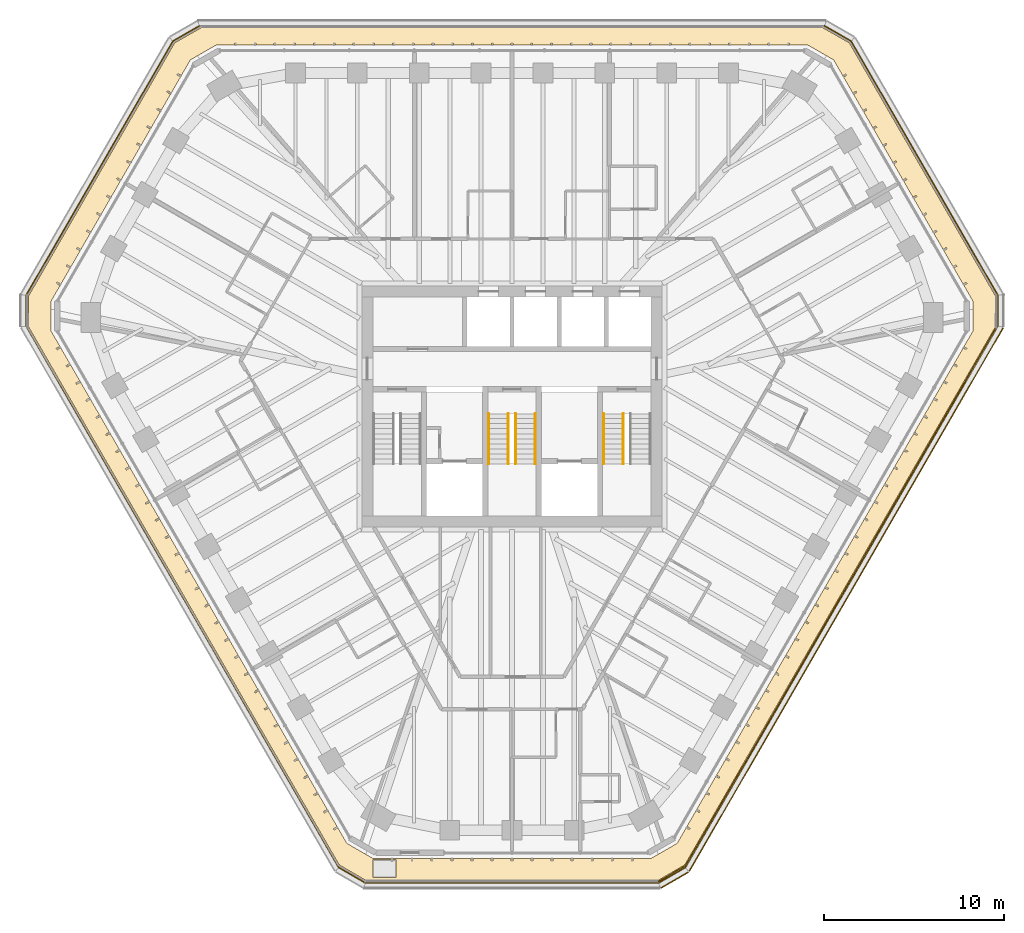
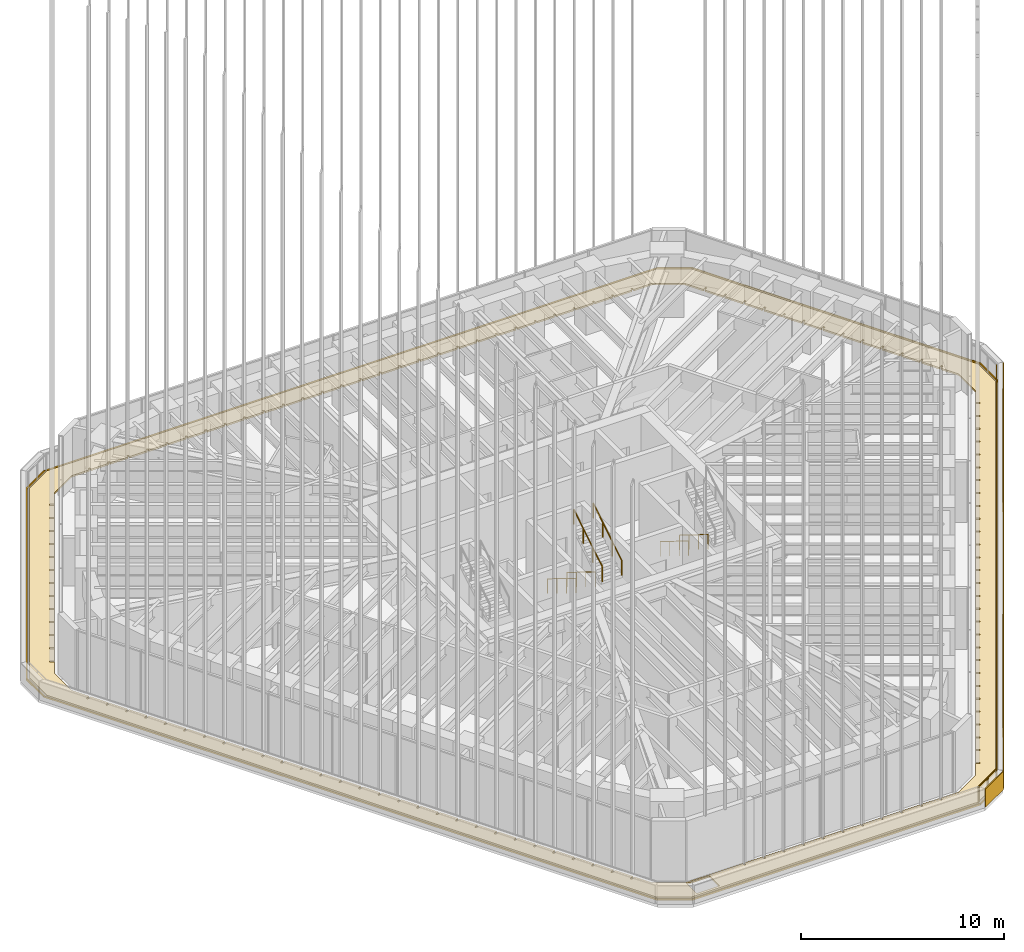
# One storey, part 126 of 127: 8 railings, 4 coverings.
"""IFC4 building model written with IfcOpenShell, lengths in metres."""

from ifc_helpers import new_model, si_unit, direction, frame, frame_2d, origin, origin_2d, place, context, subcontext, project, spatial, polyline, rectangle, circle, outline, extrude, material, layer, layer_set, type_object, element, save


model = new_model("IFC4")

# Units and contexts
model_context = context("Model", 3, precision=1e-05, world=origin(), true_north=direction((0.0, 1.0)))
body_context = subcontext(model_context, "Body", "Model", "MODEL_VIEW")
ifc_project = project(units=[si_unit("LENGTHUNIT", "METRE"), si_unit("AREAUNIT", "SQUARE_METRE"), si_unit("VOLUMEUNIT", "CUBIC_METRE"), si_unit("PLANEANGLEUNIT", "RADIAN"), si_unit("MASSUNIT", "GRAM", prefix="KILO")], contexts=[model_context])

# Site, building, storey
site_placement = place(None, origin())
site = spatial("IfcSite", under=ifc_project, at=site_placement, CompositionType="ELEMENT")
building_placement = place(site_placement, origin())
building = spatial("IfcBuilding", under=site, at=building_placement, Name="Sandreach Pilgrim Tower", CompositionType="ELEMENT")
storey_placement = place(building_placement, frame((0.0, 0.0, 257.0)))
storey = spatial("IfcBuildingStorey", under=building, at=storey_placement, Name="L64", CompositionType="ELEMENT", Elevation=257.0)

# Railings
ifc_material_1 = material(Name="Galvanised steel guardrail", Category="steel")
railing_type_1 = type_object("IfcRailingType", Name="Setback roof guard", PredefinedType="GUARDRAIL", material=ifc_material_1)
railing_1_placement = place(storey_placement, frame((8.15283203125, -26.44287109375, 0.0)))
element("IfcRailing", 1, at=railing_1_placement, inside=storey, type_object=railing_type_1, Name="Setback maintenance roof guard L64 7", PredefinedType="GUARDRAIL", context=body_context, shape_type="SweptSolid", body=[
    extrude(circle(Radius=0.02392578125, at=origin_2d()), frame((0.0, 0.0, 1.076171875), z_axis=(0.864640010441, 0.50239193101, 0.0), x_axis=(-0.50239193101, 0.864640010441, 0.0)), (0.0, 0.0, 1.0), 1.74560546875),
    extrude(circle(Radius=0.02099609375, at=origin_2d()), origin(), (0.0, 0.0, 1.0), 1.052001953125),
    extrude(circle(Radius=0.02099609375, at=origin_2d()), frame((0.754638671875, 0.4384765625, 0.0)), (0.0, 0.0, 1.0), 1.052001953125),
    extrude(circle(Radius=0.02099609375, at=origin_2d()), frame((1.50927734375, 0.876953125, 0.0)), (0.0, 0.0, 1.0), 1.052001953125),
])
railing_2_placement = place(storey_placement, frame((9.662109375, -25.56591796875, 0.0)))
element("IfcRailing", 2, at=railing_2_placement, inside=storey, type_object=railing_type_1, Name="Setback maintenance roof guard L64 8", PredefinedType="GUARDRAIL", context=body_context, shape_type="SweptSolid", body=[
    extrude(circle(Radius=0.02392578125, at=origin_2d()), frame((0.0, 0.0, 1.076171875), z_axis=(0.499995121033, 0.866028220639, 0.0), x_axis=(-0.866028220639, 0.499995121033, 0.0)), (0.0, 0.0, 1.0), 34.619384765625),
    extrude(circle(Radius=0.02099609375, at=origin_2d()), origin(), (0.0, 0.0, 1.0), 1.052001953125),
    extrude(circle(Radius=0.02099609375, at=origin_2d()), frame((0.596923828125, 1.033935546875, 0.0)), (0.0, 0.0, 1.0), 1.052001953125),
    extrude(circle(Radius=0.02099609375, at=origin_2d()), frame((1.19384765625, 2.067626953125, 0.0)), (0.0, 0.0, 1.0), 1.052001953125),
    extrude(circle(Radius=0.02099609375, at=origin_2d()), frame((1.79052734375, 3.1015625, 0.0)), (0.0, 0.0, 1.0), 1.052001953125),
    extrude(circle(Radius=0.02099609375, at=origin_2d()), frame((2.387451171875, 4.13525390625, 0.0)), (0.0, 0.0, 1.0), 1.052001953125),
    extrude(circle(Radius=0.02099609375, at=origin_2d()), frame((2.984375, 5.169189453125, 0.0)), (0.0, 0.0, 1.0), 1.052001953125),
    extrude(circle(Radius=0.02099609375, at=origin_2d()), frame((3.581298828125, 6.203125, 0.0)), (0.0, 0.0, 1.0), 1.052001953125),
    extrude(circle(Radius=0.02099609375, at=origin_2d()), frame((4.17822265625, 7.23681640625, 0.0)), (0.0, 0.0, 1.0), 1.052001953125),
    extrude(circle(Radius=0.02099609375, at=origin_2d()), frame((4.775146484375, 8.270751953125, 0.0)), (0.0, 0.0, 1.0), 1.052001953125),
    extrude(circle(Radius=0.02099609375, at=origin_2d()), frame((5.371826171875, 9.3046875, 0.0)), (0.0, 0.0, 1.0), 1.052001953125),
    extrude(circle(Radius=0.02099609375, at=origin_2d()), frame((5.96875, 10.33837890625, 0.0)), (0.0, 0.0, 1.0), 1.052001953125),
    extrude(circle(Radius=0.02099609375, at=origin_2d()), frame((6.565673828125, 11.372314453125, 0.0)), (0.0, 0.0, 1.0), 1.052001953125),
    extrude(circle(Radius=0.02099609375, at=origin_2d()), frame((7.16259765625, 12.406005859375, 0.0)), (0.0, 0.0, 1.0), 1.052001953125),
    extrude(circle(Radius=0.02099609375, at=origin_2d()), frame((7.759521484375, 13.43994140625, 0.0)), (0.0, 0.0, 1.0), 1.052001953125),
    extrude(circle(Radius=0.02099609375, at=origin_2d()), frame((8.3564453125, 14.473876953125, 0.0)), (0.0, 0.0, 1.0), 1.052001953125),
    extrude(circle(Radius=0.02099609375, at=origin_2d()), frame((8.953125, 15.507568359375, 0.0)), (0.0, 0.0, 1.0), 1.052001953125),
    extrude(circle(Radius=0.02099609375, at=origin_2d()), frame((9.550048828125, 16.54150390625, 0.0)), (0.0, 0.0, 1.0), 1.052001953125),
    extrude(circle(Radius=0.02099609375, at=origin_2d()), frame((10.14697265625, 17.575439453125, 0.0)), (0.0, 0.0, 1.0), 1.052001953125),
    extrude(circle(Radius=0.02099609375, at=origin_2d()), frame((10.743896484375, 18.609130859375, 0.0)), (0.0, 0.0, 1.0), 1.052001953125),
    extrude(circle(Radius=0.02099609375, at=origin_2d()), frame((11.3408203125, 19.64306640625, 0.0)), (0.0, 0.0, 1.0), 1.052001953125),
    extrude(circle(Radius=0.02099609375, at=origin_2d()), frame((11.937744140625, 20.6767578125, 0.0)), (0.0, 0.0, 1.0), 1.052001953125),
    extrude(circle(Radius=0.02099609375, at=origin_2d()), frame((12.534423828125, 21.710693359375, 0.0)), (0.0, 0.0, 1.0), 1.052001953125),
    extrude(circle(Radius=0.02099609375, at=origin_2d()), frame((13.13134765625, 22.74462890625, 0.0)), (0.0, 0.0, 1.0), 1.052001953125),
    extrude(circle(Radius=0.02099609375, at=origin_2d()), frame((13.728271484375, 23.7783203125, 0.0)), (0.0, 0.0, 1.0), 1.052001953125),
    extrude(circle(Radius=0.02099609375, at=origin_2d()), frame((14.3251953125, 24.812255859375, 0.0)), (0.0, 0.0, 1.0), 1.052001953125),
    extrude(circle(Radius=0.02099609375, at=origin_2d()), frame((14.922119140625, 25.84619140625, 0.0)), (0.0, 0.0, 1.0), 1.052001953125),
    extrude(circle(Radius=0.02099609375, at=origin_2d()), frame((15.51904296875, 26.8798828125, 0.0)), (0.0, 0.0, 1.0), 1.052001953125),
    extrude(circle(Radius=0.02099609375, at=origin_2d()), frame((16.11572265625, 27.913818359375, 0.0)), (0.0, 0.0, 1.0), 1.052001953125),
    extrude(circle(Radius=0.02099609375, at=origin_2d()), frame((16.712646484375, 28.947509765625, 0.0)), (0.0, 0.0, 1.0), 1.052001953125),
    extrude(circle(Radius=0.02099609375, at=origin_2d()), frame((17.3095703125, 29.9814453125, 0.0)), (0.0, 0.0, 1.0), 1.052001953125),
])

# Coverings
ifc_material_2 = material(Name="Gravel ballast, insulation and waterproofing membrane", Category="stone")
ifc_layer_1 = layer(ifc_material_2, 0.10009765625)
ifc_layer_set_1 = layer_set([ifc_layer_1], Name="Setback roofing - ballast over insulation and membrane")
covering_type_1 = type_object("IfcCoveringType", Name="Setback roofing - ballast over insulation and membrane", PredefinedType="ROOFING", material=ifc_layer_set_1)
covering_1_placement = place(storey_placement, origin())
element("IfcCovering", 3, at=covering_1_placement, inside=storey, type_object=covering_type_1, Name="Setback roofing L64 RING", PredefinedType="ROOFING", context=body_context, shape_type="SweptSolid", body=[
    extrude(outline(polyline([(-17.295166015625, 21.095703125), (17.295166015625, 21.095703125), (18.78369140625, 20.24169921875), (26.92138671875, 6.146240234375), (26.916748046875, 4.43017578125), (9.62158203125, -25.52587890625), (8.137939453125, -26.387939453125), (-8.137939453125, -26.387939453125), (-9.62158203125, -25.52587890625), (-26.916748046875, 4.43017578125), (-26.92138671875, 6.146240234375), (-18.78369140625, 20.24169921875), (-17.295166015625, 21.095703125)]), holes=[polyline([(-17.9091796875, 19.29638671875), (-18.4111328125, 18.42724609375), (-18.623291015625, 18.5498046875), (-18.668212890625, 18.4716796875), (-18.4560546875, 18.349365234375), (-18.969970703125, 17.458984375), (-19.18212890625, 17.58154296875), (-19.227294921875, 17.503662109375), (-19.014892578125, 17.381103515625), (-19.529052734375, 16.49072265625), (-19.7412109375, 16.61328125), (-19.7861328125, 16.535400390625), (-19.573974609375, 16.412841796875), (-20.087890625, 15.522705078125), (-20.30029296875, 15.64501953125), (-20.34521484375, 15.567138671875), (-20.133056640625, 15.444580078125), (-20.64697265625, 14.554443359375), (-20.859130859375, 14.677001953125), (-20.904296875, 14.59912109375), (-20.69189453125, 14.4765625), (-21.2060546875, 13.586181640625), (-21.418212890625, 13.708740234375), (-21.463134765625, 13.630615234375), (-21.2509765625, 13.50830078125), (-21.764892578125, 12.617919921875), (-21.977294921875, 12.740478515625), (-22.022216796875, 12.66259765625), (-21.81005859375, 12.5400390625), (-22.323974609375, 11.64990234375), (-22.5361328125, 11.772216796875), (-22.581298828125, 11.6943359375), (-22.368896484375, 11.57177734375), (-22.883056640625, 10.681640625), (-23.09521484375, 10.80419921875), (-23.14013671875, 10.72607421875), (-22.927978515625, 10.603515625), (-23.44189453125, 9.71337890625), (-23.654296875, 9.8359375), (-23.69921875, 9.7578125), (-23.487060546875, 9.635498046875), (-24.0009765625, 8.7451171875), (-24.213134765625, 8.86767578125), (-24.258056640625, 8.789794921875), (-24.0458984375, 8.667236328125), (-24.56005859375, 7.777099609375), (-24.772216796875, 7.8994140625), (-24.817138671875, 7.821533203125), (-24.60498046875, 7.698974609375), (-25.118896484375, 6.808837890625), (-25.3310546875, 6.931396484375), (-25.376220703125, 6.853271484375), (-25.163818359375, 6.730712890625), (-25.665771484375, 5.861572265625), (-25.665771484375, 4.20166015625), (-25.171630859375, 3.345703125), (-25.3837890625, 3.22314453125), (-25.3388671875, 3.14501953125), (-25.126708984375, 3.267578125), (-24.6201171875, 2.390625), (-24.83251953125, 2.26806640625), (-24.787353515625, 2.190185546875), (-24.5751953125, 2.312744140625), (-24.06884765625, 1.435546875), (-24.281005859375, 1.31298828125), (-24.236083984375, 1.235107421875), (-24.02392578125, 1.357666015625), (-23.517578125, 0.480712890625), (-23.729736328125, 0.358154296875), (-23.684814453125, 0.2802734375), (-23.472412109375, 0.402587890625), (-22.966064453125, -0.474365234375), (-23.17822265625, -0.596923828125), (-23.13330078125, -0.6748046875), (-22.921142578125, -0.55224609375), (-22.414794921875, -1.429443359375), (-22.626953125, -1.552001953125), (-22.581787109375, -1.6298828125), (-22.369873046875, -1.50732421875), (-21.86328125, -2.38427734375), (-22.07568359375, -2.5068359375), (-22.030517578125, -2.584716796875), (-21.818359375, -2.46240234375), (-21.31201171875, -3.33935546875), (-21.524169921875, -3.4619140625), (-21.479248046875, -3.539794921875), (-21.26708984375, -3.417236328125), (-20.7607421875, -4.294189453125), (-20.972900390625, -4.416748046875), (-20.927978515625, -4.494873046875), (-20.7158203125, -4.372314453125), (-20.209228515625, -5.249267578125), (-20.42138671875, -5.371826171875), (-20.37646484375, -5.44970703125), (-20.164306640625, -5.3271484375), (-19.657958984375, -6.204345703125), (-19.8701171875, -6.326904296875), (-19.8251953125, -6.40478515625), (-19.613037109375, -6.2822265625), (-19.106689453125, -7.1591796875), (-19.31884765625, -7.28173828125), (-19.273681640625, -7.359619140625), (-19.0615234375, -7.2373046875), (-18.55517578125, -8.1142578125), (-18.767333984375, -8.23681640625), (-18.722412109375, -8.314697265625), (-18.51025390625, -8.192138671875), (-18.00390625, -9.0693359375), (-18.216064453125, -9.19189453125), (-18.1708984375, -9.269775390625), (-17.958984375, -9.147216796875), (-17.452392578125, -10.024169921875), (-17.664794921875, -10.146728515625), (-17.61962890625, -10.224609375), (-17.407470703125, -10.102294921875), (-16.901123046875, -10.979248046875), (-17.11328125, -11.101806640625), (-17.068359375, -11.1796875), (-16.856201171875, -11.05712890625), (-16.349853515625, -11.93408203125), (-16.56201171875, -12.056640625), (-16.51708984375, -12.134765625), (-16.3046875, -12.01220703125), (-15.79833984375, -12.88916015625), (-16.010498046875, -13.01171875), (-15.965576171875, -13.089599609375), (-15.75341796875, -12.96728515625), (-15.2470703125, -13.84423828125), (-15.459228515625, -13.966796875), (-15.414306640625, -14.044677734375), (-15.201904296875, -13.922119140625), (-14.69580078125, -14.79931640625), (-14.907958984375, -14.921630859375), (-14.86279296875, -14.99951171875), (-14.650634765625, -14.877197265625), (-14.144287109375, -15.754150390625), (-14.3564453125, -15.876708984375), (-14.3115234375, -15.95458984375), (-14.099365234375, -15.83203125), (-13.593017578125, -16.709228515625), (-13.80517578125, -16.831787109375), (-13.760009765625, -16.90966796875), (-13.548095703125, -16.787109375), (-13.04150390625, -17.6640625), (-13.25390625, -17.78662109375), (-13.208740234375, -17.864501953125), (-12.99658203125, -17.7421875), (-12.490234375, -18.619140625), (-12.702392578125, -18.74169921875), (-12.657470703125, -18.819580078125), (-12.4453125, -18.697021484375), (-11.93896484375, -19.57421875), (-12.15087890625, -19.696533203125), (-12.10595703125, -19.774658203125), (-11.893798828125, -19.652099609375), (-11.387451171875, -20.529052734375), (-11.599609375, -20.651611328125), (-11.5546875, -20.7294921875), (-11.342529296875, -20.607177734375), (-10.836181640625, -21.484130859375), (-11.04833984375, -21.606689453125), (-11.00341796875, -21.6845703125), (-10.791015625, -21.56201171875), (-10.284912109375, -22.439208984375), (-10.4970703125, -22.5615234375), (-10.451904296875, -22.639404296875), (-10.23974609375, -22.51708984375), (-9.7333984375, -23.39404296875), (-9.945556640625, -23.5166015625), (-9.900634765625, -23.594482421875), (-9.6884765625, -23.471923828125), (-9.194091796875, -24.327880859375), (-7.756591796875, -25.157958984375), (-4.503662109375, -25.157958984375), (-4.503662109375, -25.322998046875), (-4.413818359375, -25.322998046875), (-4.413818359375, -25.157958984375), (-3.38916015625, -25.157958984375), (-3.38916015625, -25.322998046875), (-3.299072265625, -25.322998046875), (-3.299072265625, -25.157958984375), (-2.2744140625, -25.157958984375), (-2.2744140625, -25.322998046875), (-2.184326171875, -25.322998046875), (-2.184326171875, -25.157958984375), (-1.15966796875, -25.157958984375), (-1.15966796875, -25.322998046875), (-1.069580078125, -25.322998046875), (-1.069580078125, -25.157958984375), (-0.044921875, -25.157958984375), (-0.044921875, -25.322998046875), (0.044921875, -25.322998046875), (0.044921875, -25.157958984375), (1.069580078125, -25.157958984375), (1.069580078125, -25.322998046875), (1.15966796875, -25.322998046875), (1.15966796875, -25.157958984375), (2.184326171875, -25.157958984375), (2.184326171875, -25.322998046875), (2.2744140625, -25.322998046875), (2.2744140625, -25.157958984375), (3.299072265625, -25.157958984375), (3.299072265625, -25.322998046875), (3.38916015625, -25.322998046875), (3.38916015625, -25.157958984375), (4.413818359375, -25.157958984375), (4.413818359375, -25.322998046875), (4.503662109375, -25.322998046875), (4.503662109375, -25.157958984375), (5.5283203125, -25.157958984375), (5.5283203125, -25.322998046875), (5.618408203125, -25.322998046875), (5.618408203125, -25.157958984375), (6.64306640625, -25.157958984375), (6.64306640625, -25.322998046875), (6.733154296875, -25.322998046875), (6.733154296875, -25.157958984375), (7.756591796875, -25.157958984375), (9.194091796875, -24.327880859375), (9.69384765625, -23.462646484375), (9.871337890625, -23.565185546875), (9.916259765625, -23.4873046875), (9.73876953125, -23.384765625), (10.244873046875, -22.50830078125), (10.42236328125, -22.61083984375), (10.46728515625, -22.532958984375), (10.289794921875, -22.430419921875), (10.7958984375, -21.553955078125), (10.973388671875, -21.656494140625), (11.018310546875, -21.57861328125), (10.8408203125, -21.47607421875), (11.3466796875, -20.599609375), (11.5244140625, -20.7021484375), (11.5693359375, -20.624267578125), (11.3916015625, -20.521728515625), (11.897705078125, -19.6455078125), (12.0751953125, -19.747802734375), (12.120361328125, -19.669921875), (11.942626953125, -19.5673828125), (12.44873046875, -18.691162109375), (12.626220703125, -18.793701171875), (12.671142578125, -18.715576171875), (12.49365234375, -18.613037109375), (12.999755859375, -17.73681640625), (13.17724609375, -17.83935546875), (13.22216796875, -17.76123046875), (13.044677734375, -17.65869140625), (13.55078125, -16.782470703125), (13.728271484375, -16.885009765625), (13.773193359375, -16.806884765625), (13.595703125, -16.70458984375), (14.1015625, -15.828125), (14.279296875, -15.9306640625), (14.32421875, -15.852783203125), (14.146484375, -15.750244140625), (14.652587890625, -14.873779296875), (14.830078125, -14.976318359375), (14.875, -14.8984375), (14.697509765625, -14.7958984375), (15.20361328125, -13.91943359375), (15.381103515625, -14.02197265625), (15.426025390625, -13.944091796875), (15.24853515625, -13.841552734375), (15.754638671875, -12.965087890625), (15.93212890625, -13.067626953125), (15.97705078125, -12.98974609375), (15.799560546875, -12.88720703125), (16.305419921875, -12.0107421875), (16.483154296875, -12.11328125), (16.528076171875, -12.035400390625), (16.3505859375, -11.932861328125), (16.8564453125, -11.056396484375), (17.0341796875, -11.158935546875), (17.0791015625, -11.0810546875), (16.901611328125, -10.978515625), (17.407470703125, -10.102294921875), (17.5849609375, -10.20458984375), (17.6298828125, -10.126708984375), (17.452392578125, -10.024169921875), (17.95849609375, -9.14794921875), (18.135986328125, -9.25048828125), (18.180908203125, -9.17236328125), (18.00341796875, -9.06982421875), (18.509521484375, -8.193603515625), (18.68701171875, -8.2958984375), (18.73193359375, -8.218017578125), (18.554443359375, -8.115478515625), (19.060302734375, -7.2392578125), (19.238037109375, -7.341796875), (19.282958984375, -7.263916015625), (19.10546875, -7.161376953125), (19.611328125, -6.284912109375), (19.788818359375, -6.387451171875), (19.833984375, -6.3095703125), (19.656494140625, -6.20703125), (20.162353515625, -5.33056640625), (20.33984375, -5.43310546875), (20.385009765625, -5.35498046875), (20.20751953125, -5.252685546875), (20.71337890625, -4.376220703125), (20.890869140625, -4.478759765625), (20.935791015625, -4.40087890625), (20.75830078125, -4.29833984375), (21.264404296875, -3.421875), (21.44189453125, -3.5244140625), (21.48681640625, -3.446533203125), (21.309326171875, -3.343994140625), (21.815185546875, -2.467529296875), (21.992919921875, -2.570068359375), (22.037841796875, -2.4921875), (21.8603515625, -2.3896484375), (22.3662109375, -1.51318359375), (22.543701171875, -1.61572265625), (22.5888671875, -1.537841796875), (22.411376953125, -1.435302734375), (22.917236328125, -0.55908203125), (23.0947265625, -0.66162109375), (23.139892578125, -0.58349609375), (22.96240234375, -0.48095703125), (23.46826171875, 0.3955078125), (23.645751953125, 0.29296875), (23.69091796875, 0.370849609375), (23.51318359375, 0.473388671875), (24.019287109375, 1.349609375), (24.19677734375, 1.247314453125), (24.24169921875, 1.3251953125), (24.064208984375, 1.427490234375), (24.5703125, 2.303955078125), (24.747802734375, 2.201416015625), (24.792724609375, 2.279296875), (24.615234375, 2.3818359375), (25.12109375, 3.25830078125), (25.298583984375, 3.15576171875), (25.34375, 3.23388671875), (25.166259765625, 3.336181640625), (25.665771484375, 4.20166015625), (25.665771484375, 5.861572265625), (25.158935546875, 6.739501953125), (25.33642578125, 6.841796875), (25.29150390625, 6.919921875), (25.114013671875, 6.8173828125), (24.600830078125, 7.706298828125), (24.7783203125, 7.80859375), (24.7333984375, 7.88671875), (24.555908203125, 7.7841796875), (24.042724609375, 8.673095703125), (24.22021484375, 8.775390625), (24.17529296875, 8.853515625), (23.997802734375, 8.7509765625), (23.484619140625, 9.6396484375), (23.662109375, 9.7421875), (23.616943359375, 9.8203125), (23.439453125, 9.7177734375), (22.92626953125, 10.6064453125), (23.10400390625, 10.708984375), (23.058837890625, 10.786865234375), (22.88134765625, 10.684326171875), (22.3681640625, 11.5732421875), (22.545654296875, 11.67578125), (22.500732421875, 11.753662109375), (22.3232421875, 11.651123046875), (21.81005859375, 12.5400390625), (21.987548828125, 12.642578125), (21.9423828125, 12.720458984375), (21.764892578125, 12.617919921875), (21.251708984375, 13.5068359375), (21.429443359375, 13.609375), (21.384521484375, 13.687255859375), (21.206787109375, 13.584716796875), (20.693603515625, 14.4736328125), (20.87109375, 14.576171875), (20.826171875, 14.654052734375), (20.648681640625, 14.551513671875), (20.135498046875, 15.4404296875), (20.31298828125, 15.54296875), (20.26806640625, 15.620849609375), (20.090576171875, 15.518310546875), (19.577392578125, 16.406982421875), (19.7548828125, 16.509521484375), (19.7099609375, 16.587646484375), (19.5322265625, 16.485107421875), (19.019287109375, 17.373779296875), (19.19677734375, 17.476318359375), (19.151611328125, 17.554443359375), (18.97412109375, 17.451904296875), (18.4609375, 18.3408203125), (18.638427734375, 18.443115234375), (18.593505859375, 18.52099609375), (18.416015625, 18.418701171875), (17.9091796875, 19.29638671875), (16.4716796875, 20.12646484375), (15.45068359375, 20.12646484375), (15.45068359375, 20.25146484375), (15.36083984375, 20.25146484375), (15.36083984375, 20.12646484375), (14.350341796875, 20.12646484375), (14.350341796875, 20.25146484375), (14.260498046875, 20.25146484375), (14.260498046875, 20.12646484375), (13.25, 20.12646484375), (13.25, 20.25146484375), (13.159912109375, 20.25146484375), (13.159912109375, 20.12646484375), (12.149658203125, 20.12646484375), (12.149658203125, 20.25146484375), (12.0595703125, 20.25146484375), (12.0595703125, 20.12646484375), (11.04931640625, 20.12646484375), (11.04931640625, 20.25146484375), (10.959228515625, 20.25146484375), (10.959228515625, 20.12646484375), (9.94873046875, 20.12646484375), (9.94873046875, 20.25146484375), (9.858642578125, 20.25146484375), (9.858642578125, 20.12646484375), (8.848388671875, 20.12646484375), (8.848388671875, 20.25146484375), (8.75830078125, 20.25146484375), (8.75830078125, 20.12646484375), (7.747802734375, 20.12646484375), (7.747802734375, 20.25146484375), (7.657958984375, 20.25146484375), (7.657958984375, 20.12646484375), (6.6474609375, 20.12646484375), (6.6474609375, 20.25146484375), (6.5576171875, 20.25146484375), (6.5576171875, 20.12646484375), (5.547119140625, 20.12646484375), (5.547119140625, 20.25146484375), (5.45703125, 20.25146484375), (5.45703125, 20.12646484375), (4.44677734375, 20.12646484375), (4.44677734375, 20.25146484375), (4.356689453125, 20.25146484375), (4.356689453125, 20.12646484375), (3.34619140625, 20.12646484375), (3.34619140625, 20.25146484375), (3.256103515625, 20.25146484375), (3.256103515625, 20.12646484375), (2.245849609375, 20.12646484375), (2.245849609375, 20.25146484375), (2.15576171875, 20.25146484375), (2.15576171875, 20.12646484375), (1.1455078125, 20.12646484375), (1.1455078125, 20.25146484375), (1.055419921875, 20.25146484375), (1.055419921875, 20.12646484375), (0.044921875, 20.12646484375), (0.044921875, 20.25146484375), (-0.044921875, 20.25146484375), (-0.044921875, 20.12646484375), (-1.055419921875, 20.12646484375), (-1.055419921875, 20.25146484375), (-1.1455078125, 20.25146484375), (-1.1455078125, 20.12646484375), (-2.15576171875, 20.12646484375), (-2.15576171875, 20.25146484375), (-2.245849609375, 20.25146484375), (-2.245849609375, 20.12646484375), (-3.256103515625, 20.12646484375), (-3.256103515625, 20.25146484375), (-3.34619140625, 20.25146484375), (-3.34619140625, 20.12646484375), (-4.356689453125, 20.12646484375), (-4.356689453125, 20.25146484375), (-4.44677734375, 20.25146484375), (-4.44677734375, 20.12646484375), (-5.45703125, 20.12646484375), (-5.45703125, 20.25146484375), (-5.547119140625, 20.25146484375), (-5.547119140625, 20.12646484375), (-6.5576171875, 20.12646484375), (-6.5576171875, 20.25146484375), (-6.6474609375, 20.25146484375), (-6.6474609375, 20.12646484375), (-7.657958984375, 20.12646484375), (-7.657958984375, 20.25146484375), (-7.747802734375, 20.25146484375), (-7.747802734375, 20.12646484375), (-8.75830078125, 20.12646484375), (-8.75830078125, 20.25146484375), (-8.848388671875, 20.25146484375), (-8.848388671875, 20.12646484375), (-9.858642578125, 20.12646484375), (-9.858642578125, 20.25146484375), (-9.94873046875, 20.25146484375), (-9.94873046875, 20.12646484375), (-10.959228515625, 20.12646484375), (-10.959228515625, 20.25146484375), (-11.04931640625, 20.25146484375), (-11.04931640625, 20.12646484375), (-12.0595703125, 20.12646484375), (-12.0595703125, 20.25146484375), (-12.149658203125, 20.25146484375), (-12.149658203125, 20.12646484375), (-13.159912109375, 20.12646484375), (-13.159912109375, 20.25146484375), (-13.25, 20.25146484375), (-13.25, 20.12646484375), (-14.260498046875, 20.12646484375), (-14.260498046875, 20.25146484375), (-14.350341796875, 20.25146484375), (-14.350341796875, 20.12646484375), (-15.36083984375, 20.12646484375), (-15.36083984375, 20.25146484375), (-15.45068359375, 20.25146484375), (-15.45068359375, 20.12646484375), (-16.4716796875, 20.12646484375), (-17.9091796875, 19.29638671875)]), polyline([(-6.449951171875, -25.238037109375), (-7.75, -25.238037109375), (-7.75, -26.238037109375), (-6.449951171875, -26.238037109375), (-6.449951171875, -25.238037109375)])]), origin(), (0.0, 0.0, 1.0), 0.10009765625),
])
covering_2_placement = place(storey_placement, origin())
element("IfcCovering", 4, at=covering_2_placement, inside=storey, type_object=covering_type_1, Name="Setback roofing L64 RING part 2", PredefinedType="ROOFING", context=body_context, shape_type="SweptSolid", body=[
    extrude(outline(polyline([(-17.433349609375, 21.214111328125), (17.433349609375, 21.214111328125), (18.898681640625, 20.369873046875), (27.09033203125, 6.181884765625), (27.088623046875, 4.49072265625), (9.6552734375, -25.70458984375), (8.19140625, -26.5517578125), (-8.19140625, -26.5517578125), (-9.6552734375, -25.70458984375), (-27.088623046875, 4.49072265625), (-27.09033203125, 6.181884765625), (-18.898681640625, 20.369873046875), (-17.433349609375, 21.214111328125)]), holes=[polyline([(-27.02197265625, 4.39208984375), (-9.707275390625, -25.597900390625), (-9.67578125, -25.57958984375), (-9.694091796875, -25.611083984375), (-8.176025390625, -26.492919921875), (-8.15771484375, -26.46142578125), (-8.15771484375, -26.497802734375), (8.15771484375, -26.497802734375), (8.15771484375, -26.46142578125), (8.176025390625, -26.492919921875), (9.694091796875, -25.611083984375), (9.67578125, -25.57958984375), (9.707275390625, -25.597900390625), (27.02197265625, 4.39208984375), (26.990478515625, 4.410400390625), (27.02685546875, 4.410400390625), (27.031494140625, 6.165771484375), (26.9951171875, 6.166015625), (27.026611328125, 6.18408203125), (18.868896484375, 20.313720703125), (18.83740234375, 20.29541015625), (18.855712890625, 20.3271484375), (17.332763671875, 21.20068359375), (17.314697265625, 21.169189453125), (17.314697265625, 21.20556640625), (-17.314697265625, 21.20556640625), (-17.314697265625, 21.169189453125), (-17.332763671875, 21.20068359375), (-18.855712890625, 20.3271484375), (-18.83740234375, 20.29541015625), (-18.868896484375, 20.313720703125), (-27.026611328125, 6.18408203125), (-26.9951171875, 6.166015625), (-27.031494140625, 6.165771484375), (-27.02685546875, 4.410400390625), (-26.990478515625, 4.410400390625), (-27.02197265625, 4.39208984375)])]), origin(), (0.0, 0.0, 1.0), 0.10009765625),
])

# Railings
ifc_material_3 = material(Name="Stainless steel tube", Category="steel")
railing_type_2 = type_object("IfcRailingType", Name="Stair handrail", PredefinedType="HANDRAIL", material=ifc_material_3)
for number, where, name in (
    (5, (-0.199951171875, -0.39990234375, 0.172607421875), "Handrail ST3 L64 flight 1"),
    (6, (-1.300048828125, -0.39990234375, 0.172607421875), "Handrail ST3 L64 flight 1"),
):
    element("IfcRailing", number, at=place(storey_placement, frame(where)), inside=storey, type_object=railing_type_2, Name=name, PredefinedType="HANDRAIL", context=body_context, shape_type="SweptSolid", body=[
        extrude(circle(Radius=0.02392578125, at=origin_2d()), frame((0.0, 0.0, 0.8759765625), z_axis=(0.0, -0.851089632645, 0.525020415988), x_axis=(1.0, 0.0, 0.0)), (0.0, 0.0, 1.0), 3.2900390625),
        extrude(circle(Radius=0.02099609375, at=origin_2d()), origin(), (0.0, 0.0, 1.0), 0.851806640625),
        extrude(circle(Radius=0.02099609375, at=origin_2d()), frame((0.0, -0.933349609375, 0.57568359375)), (0.0, 0.0, 1.0), 0.851806640625),
        extrude(circle(Radius=0.02099609375, at=origin_2d()), frame((0.0, -1.86669921875, 1.151611328125)), (0.0, 0.0, 1.0), 0.851806640625),
        extrude(circle(Radius=0.02099609375, at=origin_2d()), frame((0.0, -2.800048828125, 1.727294921875)), (0.0, 0.0, 1.0), 0.851806640625),
    ])
for number, where, name in (
    (7, (0.199951171875, -3.199951171875, 2.07275390625), "Handrail ST3 L64 flight 2"),
    (8, (1.300048828125, -3.199951171875, 2.07275390625), "Handrail ST3 L64 flight 2"),
):
    element("IfcRailing", number, at=place(storey_placement, frame(where)), inside=storey, type_object=railing_type_2, Name=name, PredefinedType="HANDRAIL", context=body_context, shape_type="SweptSolid", body=[
        extrude(circle(Radius=0.02392578125, at=origin_2d()), frame((0.0, 0.0, 0.8759765625), z_axis=(0.0, 0.851089632645, 0.525020415988), x_axis=(-1.0, 0.0, 0.0)), (0.0, 0.0, 1.0), 3.2900390625),
        extrude(circle(Radius=0.02099609375, at=origin_2d()), origin(), (0.0, 0.0, 1.0), 0.851806640625),
        extrude(circle(Radius=0.02099609375, at=origin_2d()), frame((0.0, 0.933349609375, 0.57568359375)), (0.0, 0.0, 1.0), 0.851806640625),
        extrude(circle(Radius=0.02099609375, at=origin_2d()), frame((0.0, 1.86669921875, 1.151611328125)), (0.0, 0.0, 1.0), 0.851806640625),
        extrude(circle(Radius=0.02099609375, at=origin_2d()), frame((0.0, 2.800048828125, 1.727294921875)), (0.0, 0.0, 1.0), 0.851806640625),
    ])
for number, where, name in (
    (9, (6.199951171875, -0.39990234375, 0.172607421875), "Handrail ST2 L64 flight 1"),
    (10, (5.10009765625, -0.39990234375, 0.172607421875), "Handrail ST2 L64 flight 1"),
):
    element("IfcRailing", number, at=place(storey_placement, frame(where)), inside=storey, type_object=railing_type_2, Name=name, PredefinedType="HANDRAIL", context=body_context, shape_type="SweptSolid", body=[
        extrude(circle(Radius=0.02392578125, at=origin_2d()), frame((0.0, 0.0, 0.8759765625), z_axis=(0.0, -0.851089632645, 0.525020415988), x_axis=(1.0, 0.0, 0.0)), (0.0, 0.0, 1.0), 3.2900390625),
        extrude(circle(Radius=0.02099609375, at=origin_2d()), origin(), (0.0, 0.0, 1.0), 0.851806640625),
        extrude(circle(Radius=0.02099609375, at=origin_2d()), frame((0.0, -0.933349609375, 0.57568359375)), (0.0, 0.0, 1.0), 0.851806640625),
        extrude(circle(Radius=0.02099609375, at=origin_2d()), frame((0.0, -1.86669921875, 1.151611328125)), (0.0, 0.0, 1.0), 0.851806640625),
        extrude(circle(Radius=0.02099609375, at=origin_2d()), frame((0.0, -2.800048828125, 1.727294921875)), (0.0, 0.0, 1.0), 0.851806640625),
    ])

# Coverings
ifc_material_4 = material(Name="Terracotta rainscreen panels on aluminium rails", Category="masonry")
ifc_layer_2 = layer(ifc_material_4, 0.050048828125)
ifc_layer_set_2 = layer_set([ifc_layer_2], Name="Terracotta rainscreen cladding 50")
covering_type_2 = type_object("IfcCoveringType", Name="Terracotta rainscreen cladding 50", PredefinedType="CLADDING", material=ifc_layer_set_2)
covering_3_placement = place(storey_placement, frame((8.301513671875, -26.8115234375, 0.0), z_axis=(0.0, 0.0, 1.0), x_axis=(0.865533858736, 0.500850416174, 0.0)))
element("IfcCovering", 11, at=covering_3_placement, inside=storey, type_object=covering_type_2, Name="Rainscreen cladding on setback parapet l64 7", PredefinedType="CLADDING", context=body_context, shape_type="SweptSolid", body=[
    extrude(rectangle(XDim=1.7607421875, YDim=0.050048828125, at=frame_2d((0.88037109375, 0.0))), origin(), (0.0, 0.0, 1.0), 1.10009765625),
])
covering_4_placement = place(storey_placement, frame((9.88037109375, -25.874755859375, 0.0), z_axis=(0.0, 0.0, 1.0), x_axis=(0.499998496786, 0.866026271663, 0.0)))
element("IfcCovering", 12, at=covering_4_placement, inside=storey, type_object=covering_type_2, Name="Rainscreen cladding on setback parapet l64 8", PredefinedType="CLADDING", context=body_context, shape_type="SweptSolid", body=[
    extrude(rectangle(XDim=34.93603515625, YDim=0.050048828125, at=frame_2d((17.468017578125, 0.0))), origin(), (0.0, 0.0, 1.0), 1.10009765625),
])

save(model, "model.ifc")
